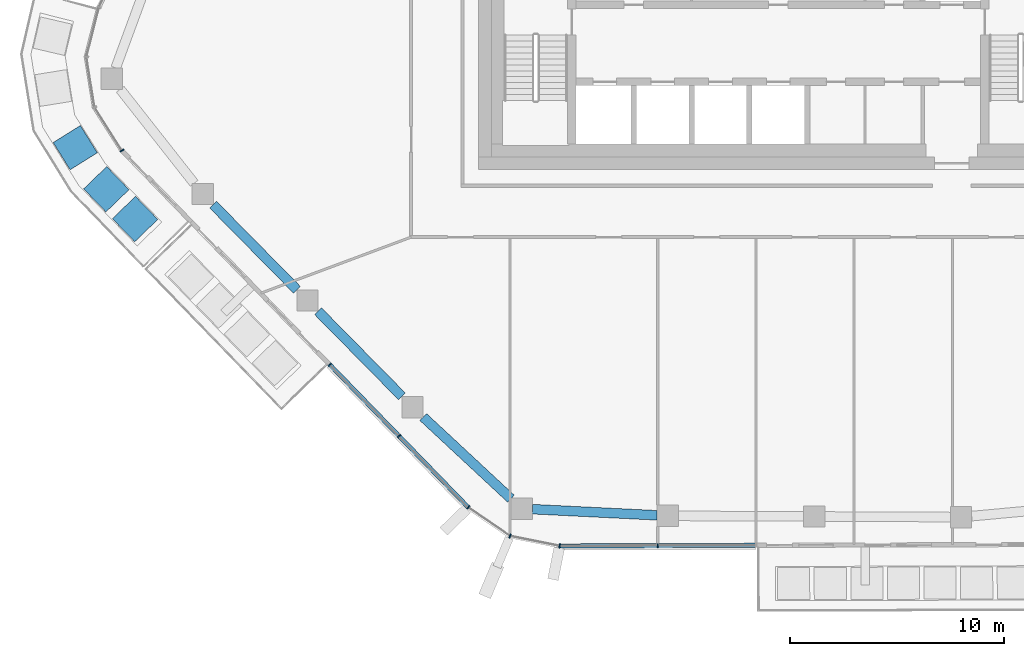
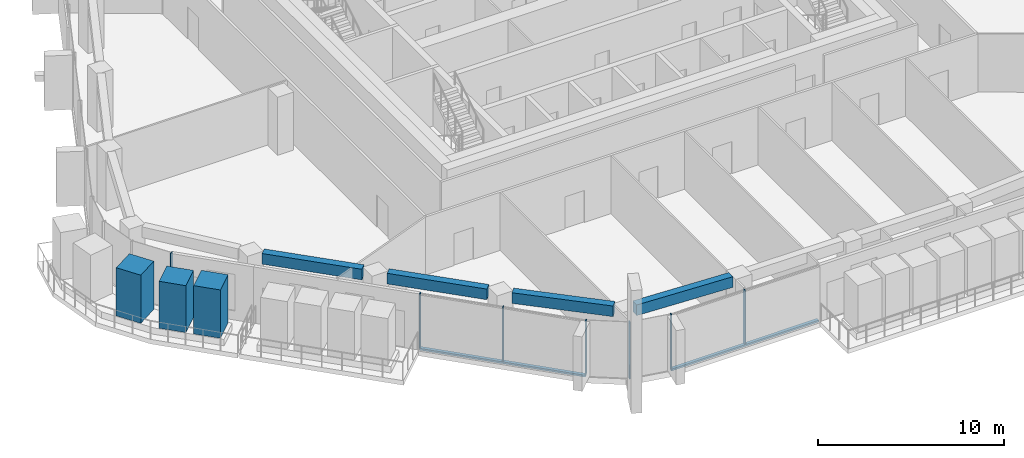
# One storey, part 2 of 24: 12 members, 4 beams, 4 elements without a shape of their own.
"""IFC4 building model written with IfcOpenShell, lengths in metres."""

import ifcopenshell
import ifcopenshell.guid

model = None  # the IFC model being written
_history = None  # IfcOwnerHistory: only IFC2X3 demands one
_inside = {}  # id of a spatial element -> (the spatial element, [elements in it])
_under = {}  # id of a project, library or spatial element -> (it, [spatial elements below it])
_declared = {}  # id of a project -> (the project, [libraries it declares])
_typed = {}  # id of a type object -> (the type object, [elements of that type])
_made_of = {}  # id of a material, layer set ... -> (it, [elements and type objects made of it])


def new_model(schema):
    """Start an empty IFC model of exactly this schema.

    Asked for "IFC4X3", IfcOpenShell would pick the latest addendum, in which some entities
    have other attributes; the version numbers below select the first issue.
    IFC2X3 requires an IfcOwnerHistory on every rooted entity: one is made here for all.
    """
    global model, _history
    if schema == "IFC4X3":
        model = ifcopenshell.file(schema_version=(4, 3, 0, 0))
    else:
        model = ifcopenshell.file(schema=schema)
    _inside.clear()
    _under.clear()
    _declared.clear()
    _typed.clear()
    _made_of.clear()
    _history = None
    if model.schema == "IFC2X3":
        org = make("IfcOrganization", Name="unknown")
        user = make(
            "IfcPersonAndOrganization",
            ThePerson=make("IfcPerson", FamilyName="unknown"),
            TheOrganization=org,
        )
        app = make(
            "IfcApplication",
            ApplicationDeveloper=org,
            Version="unknown",
            ApplicationFullName="unknown",
            ApplicationIdentifier="unknown",
        )
        _history = make(
            "IfcOwnerHistory",
            OwningUser=user,
            OwningApplication=app,
            ChangeAction="ADDED",
            CreationDate=0,
        )
    return model


def make(cls, **values):
    """One entity of the class cls with the attributes given. An attribute that is None is left unset."""
    return model.create_entity(
        cls, **{name: value for name, value in values.items() if value is not None}
    )


def rooted(cls, **values):
    """An entity with a GlobalId (a new one), such as an element, a storey or a relation."""
    return make(cls, GlobalId=ifcopenshell.guid.new(), OwnerHistory=_history, **values)


def si_unit(unit_type, name, prefix=None):
    """IfcSIUnit, for example si_unit("LENGTHUNIT", "METRE", prefix="MILLI")."""
    return make("IfcSIUnit", UnitType=unit_type, Prefix=prefix, Name=name)


def assignment(units):
    """IfcUnitAssignment: the units of a project."""
    return None if units is None else make("IfcUnitAssignment", Units=units)


def point(xyz):
    """IfcCartesianPoint."""
    return None if xyz is None else make("IfcCartesianPoint", Coordinates=xyz)


def direction(xyz):
    """IfcDirection."""
    return None if xyz is None else make("IfcDirection", DirectionRatios=xyz)


def frame(location, z_axis=None, x_axis=None):
    """IfcAxis2Placement3D, a coordinate frame: its origin and axes. An axis left out is left unset."""
    return make(
        "IfcAxis2Placement3D",
        Location=point(location),
        Axis=direction(z_axis),
        RefDirection=direction(x_axis),
    )


def frame_2d(location, x_axis=None):
    """IfcAxis2Placement2D, a coordinate frame in the plane: its origin and x axis."""
    return make(
        "IfcAxis2Placement2D", Location=point(location), RefDirection=direction(x_axis)
    )


def origin():
    """The frame at (0, 0, 0) with its axes left unset."""
    return frame((0.0, 0.0, 0.0))


def origin_2d():
    """The frame at (0, 0) in the plane with its x axis left unset."""
    return frame_2d((0.0, 0.0))


def place(relative_to, where):
    """IfcLocalPlacement: puts the frame where relative to a parent placement (None: the world)."""
    return make(
        "IfcLocalPlacement", PlacementRelTo=relative_to, RelativePlacement=where
    )


def context(
    kind, dimensions, precision=None, world=None, true_north=None, identifier=None
):
    """IfcGeometricRepresentationContext, for example the 3D "Model" context."""
    return make(
        "IfcGeometricRepresentationContext",
        ContextIdentifier=identifier,
        ContextType=kind,
        CoordinateSpaceDimension=dimensions,
        Precision=precision,
        WorldCoordinateSystem=world,
        TrueNorth=true_north,
    )


def subcontext(parent, identifier, kind, view, scale=None):
    """IfcGeometricRepresentationSubContext, for example "Body" below "Model"."""
    return make(
        "IfcGeometricRepresentationSubContext",
        ContextIdentifier=identifier,
        ContextType=kind,
        ParentContext=parent,
        TargetScale=scale,
        TargetView=view,
    )


def project(units=None, contexts=None):
    """IfcProject with its units and contexts."""
    return rooted(
        "IfcProject",
        Name="project",
        RepresentationContexts=contexts,
        UnitsInContext=assignment(units),
    )


def spatial(cls, under=None, at=None, **own):
    """A site, building, storey or space (cls), placed at a placement, below another one or the project."""
    s = rooted(cls, ObjectPlacement=at, **own)
    if under is not None:
        _under.setdefault(under.id(), (under, []))[1].append(s)
    return s


def profile(cls, at=None, kind="AREA", **sizes):
    """A parametric profile (cls). Its sizes go by their IFC names, for example OverallWidth=200.0."""
    return make(cls, ProfileType=kind, Position=at, **sizes)


def rectangle(**sizes):
    """IfcRectangleProfileDef."""
    return profile("IfcRectangleProfileDef", **sizes)


def extrude(swept, where, along, depth):
    """IfcExtrudedAreaSolid: the profile swept, set in the frame where, extruded along a direction by depth."""
    return make(
        "IfcExtrudedAreaSolid",
        SweptArea=swept,
        Position=where,
        ExtrudedDirection=direction(along),
        Depth=depth,
    )


def shape(context_of_items, identifier, shape_type, items):
    """IfcShapeRepresentation: the items that make up one representation, for example the "Body"."""
    return make(
        "IfcShapeRepresentation",
        ContextOfItems=context_of_items,
        RepresentationIdentifier=identifier,
        RepresentationType=shape_type,
        Items=items,
    )


def material(Name=None, Category=None):
    """IfcMaterial."""
    return make("IfcMaterial", Name=Name, Category=Category)


def layer(
    of_material, thickness, ventilated=None, Name=None, Category=None, Priority=None
):
    """IfcMaterialLayer: one layer of a wall or slab, of a material (None: an air gap)."""
    return make(
        "IfcMaterialLayer",
        Material=of_material,
        LayerThickness=thickness,
        IsVentilated=ventilated,
        Name=Name,
        Category=Category,
        Priority=Priority,
    )


def layer_set(layers, Name=None):
    """IfcMaterialLayerSet."""
    return make("IfcMaterialLayerSet", MaterialLayers=layers, LayerSetName=Name)


def material_profile(
    of_material, cross_section, Name=None, Category=None, Priority=None
):
    """IfcMaterialProfile: a cross section and its material."""
    return make(
        "IfcMaterialProfile",
        Name=Name,
        Material=of_material,
        Profile=cross_section,
        Priority=Priority,
        Category=Category,
    )


def profile_set(profiles, Name=None, composite=None):
    """IfcMaterialProfileSet."""
    return make(
        "IfcMaterialProfileSet",
        Name=Name,
        MaterialProfiles=profiles,
        CompositeProfile=composite,
    )


def made_of(thing, what):
    """Note that an element or type object is made of a material, layer set ...; save() writes the relation."""
    if what is not None:
        _made_of.setdefault(what.id(), (what, []))[1].append(thing)
    return thing


def type_object(cls, material=None, **own):
    """A type object (cls), such as IfcWallType, which elements share."""
    return made_of(rooted(cls, **own), material)


def element(
    cls,
    number,
    at=None,
    inside=None,
    cuts=None,
    type_object=None,
    material=None,
    context=None,
    identifier="Body",
    shape_type=None,
    held_by="IfcProductDefinitionShape",
    body=None,
    shapes=None,
    **own,
):
    """One element of the class cls, such as IfcWall. Its Tag is "e" and its number.

    at: its placement. inside: the storey or other place that contains it. cuts: it is an
    opening in that element (IfcRelVoidsElement). A single representation is given by context,
    identifier, shape_type and body (its items); several are given by shapes. held_by: the class
    of the entity that holds the representations. save() writes the other relations.
    """
    e = rooted(cls, Tag="e%d" % number, ObjectPlacement=at, **own)
    if body is not None:
        shapes = [shape(context, identifier, shape_type, body)]
    if shapes is not None:
        e.Representation = make(held_by, Representations=shapes)
    if inside is not None:
        _inside.setdefault(inside.id(), (inside, []))[1].append(e)
    if cuts is not None:
        rooted(
            "IfcRelVoidsElement", RelatingBuildingElement=cuts, RelatedOpeningElement=e
        )
    if type_object is not None:
        _typed.setdefault(type_object.id(), (type_object, []))[1].append(e)
    return made_of(e, material)


def aggregate(whole, parts):
    """IfcRelAggregates: a whole, such as a stair, and the parts it consists of."""
    return rooted("IfcRelAggregates", RelatingObject=whole, RelatedObjects=parts)


def save(model, path):
    """Write the relations noted so far, then the file.

    IfcRelAggregates (storeys below a building ...), IfcRelContainedInSpatialStructure (elements
    in a storey), IfcRelDefinesByType, IfcRelAssociatesMaterial and IfcRelDeclares: one each for
    every whole, place, type object, material and project.
    """
    for whole, parts in _under.values():
        aggregate(whole, parts)
    for where, things in _inside.values():
        rooted(
            "IfcRelContainedInSpatialStructure",
            RelatedElements=things,
            RelatingStructure=where,
        )
    for kind, things in _typed.values():
        rooted("IfcRelDefinesByType", RelatedObjects=things, RelatingType=kind)
    for what, things in _made_of.values():
        rooted("IfcRelAssociatesMaterial", RelatedObjects=things, RelatingMaterial=what)
    for by, libraries in _declared.values():
        rooted("IfcRelDeclares", RelatingContext=by, RelatedDefinitions=libraries)
    model.write(path)


model = new_model("IFC4")

# Units and contexts
model_context = context("Model", 3, precision=1e-05, world=origin(), true_north=direction((0.0, 1.0)))
body_context = subcontext(model_context, "Body", "Model", "MODEL_VIEW")
ifc_project = project(units=[si_unit("LENGTHUNIT", "METRE"), si_unit("AREAUNIT", "SQUARE_METRE"), si_unit("VOLUMEUNIT", "CUBIC_METRE"), si_unit("PLANEANGLEUNIT", "RADIAN"), si_unit("MASSUNIT", "GRAM", prefix="KILO")], contexts=[model_context])

# Site, building, storey
site_placement = place(None, origin())
site = spatial("IfcSite", under=ifc_project, at=site_placement, CompositionType="ELEMENT")
building_placement = place(site_placement, origin())
building = spatial("IfcBuilding", under=site, at=building_placement, Name="Dongbaek Canopy Tower", CompositionType="ELEMENT")
storey_placement = place(building_placement, frame((0.0, 0.0, 344.60009765625)))
storey = spatial("IfcBuildingStorey", under=building, at=storey_placement, Name="L74", CompositionType="ELEMENT", Elevation=344.60009765625)

# Curtain wall, member
ifc_material_1 = material(Name="Aluminium 6063-T6 pale anodised", Category="aluminium")
ifc_layer = layer(ifc_material_1, 0.199951171875)
ifc_layer_set = layer_set([ifc_layer], Name="CW-1 unitised tower curtain wall")
curtain_wall_type = type_object("IfcCurtainWallType", Name="CW-1 unitised tower curtain wall", PredefinedType="NOTDEFINED", material=ifc_layer_set)
curtain_wall_1_placement = place(storey_placement, origin())
curtain_wall_1 = element("IfcCurtainWall", 1, at=curtain_wall_1_placement, inside=storey, type_object=curtain_wall_type, Name="CW-1 curtain wall K3.1", PredefinedType="NOTDEFINED")
ifc_material_2 = material(Name="Aluminium 6063-T6 pale anodised", Category="aluminium")
ifc_material_profile_1 = material_profile(ifc_material_2, rectangle(XDim=0.199951171875, YDim=0.06005859375, at=origin_2d()), Name="CW-1 mullion 60 x 200")
ifc_profile_set_1 = profile_set([ifc_material_profile_1], Name="Aluminium 6063-T6 pale anodised")
member_type_1 = type_object("IfcMemberType", Name="CW-1 mullion 60 x 200", PredefinedType="MULLION", material=ifc_profile_set_1)
member_1_placement = place(storey_placement, frame((-30.651611328125, -10.109130859375, 0.0), z_axis=(0.0, 0.0, 1.0), x_axis=(-0.843728647148, -0.536769941392, 0.0)))
member_1 = element("IfcMember", 2, at=member_1_placement, type_object=member_type_1, Name="CW-1 mullion K3.1.4", PredefinedType="MULLION", context=body_context, shape_type="SweptSolid", body=[
    extrude(rectangle(XDim=0.199951171875, YDim=0.06005859375, at=origin_2d()), origin(), (0.0, 0.0, 1.0), 3.699951171875),
])
aggregate(curtain_wall_1, [member_1])

# Curtain wall, members
curtain_wall_2_placement = place(storey_placement, origin())
curtain_wall_2 = element("IfcCurtainWall", 3, at=curtain_wall_2_placement, inside=storey, type_object=curtain_wall_type, Name="CW-1 curtain wall F3.1", PredefinedType="NOTDEFINED")
member_2_placement = place(storey_placement, frame((-20.947509765625, -20.110107421875, 0.119873046875), z_axis=(0.0, 0.0, 1.0), x_axis=(-0.717680445859, -0.696372585353, 0.0)))
member_2 = element("IfcMember", 4, at=member_2_placement, type_object=member_type_1, Name="CW-1 mullion F3.1.1", PredefinedType="MULLION", context=body_context, shape_type="SweptSolid", body=[
    extrude(rectangle(XDim=0.199951171875, YDim=0.06005859375, at=origin_2d()), origin(), (0.0, 0.0, 1.0), 3.580078125),
])
member_3_placement = place(storey_placement, frame((-17.71044921875, -23.4462890625, 0.119873046875), z_axis=(0.0, 0.0, 1.0), x_axis=(-0.717680445859, -0.696372585353, 0.0)))
member_3 = element("IfcMember", 5, at=member_3_placement, type_object=member_type_1, Name="CW-1 mullion F3.1.2", PredefinedType="MULLION", context=body_context, shape_type="SweptSolid", body=[
    extrude(rectangle(XDim=0.199951171875, YDim=0.06005859375, at=origin_2d()), origin(), (0.0, 0.0, 1.0), 3.580078125),
])
member_4_placement = place(storey_placement, frame((-14.480224609375, -26.775146484375, 0.119873046875), z_axis=(0.0, 0.0, 1.0), x_axis=(-0.717680445859, -0.696372585353, 0.0)))
member_4 = element("IfcMember", 6, at=member_4_placement, type_object=member_type_1, Name="CW-1 mullion F3.1.3", PredefinedType="MULLION", context=body_context, shape_type="SweptSolid", body=[
    extrude(rectangle(XDim=0.199951171875, YDim=0.06005859375, at=origin_2d()), origin(), (0.0, 0.0, 1.0), 3.580078125),
])

curtain_wall_3_placement = place(storey_placement, origin())
curtain_wall_3 = element("IfcCurtainWall", 7, at=curtain_wall_3_placement, inside=storey, type_object=curtain_wall_type, Name="CW-1 curtain wall K4.1", PredefinedType="NOTDEFINED")
member_5_placement = place(storey_placement, frame((-12.52880859375, -28.109130859375, 0.0), z_axis=(0.0, 0.0, 1.0), x_axis=(-0.388220662236, -0.921566447639, 0.0)))
member_5 = element("IfcMember", 8, at=member_5_placement, type_object=member_type_1, Name="CW-1 mullion K4.1.2", PredefinedType="MULLION", context=body_context, shape_type="SweptSolid", body=[
    extrude(rectangle(XDim=0.199951171875, YDim=0.06005859375, at=origin_2d()), origin(), (0.0, 0.0, 1.0), 3.699951171875),
])
member_6_placement = place(storey_placement, frame((-10.2109375, -28.57373046875, 0.0), z_axis=(0.0, 0.0, 1.0), x_axis=(-0.196529582008, -0.980497895661, 0.0)))
member_6 = element("IfcMember", 9, at=member_6_placement, type_object=member_type_1, Name="CW-1 mullion K4.1.3", PredefinedType="MULLION", context=body_context, shape_type="SweptSolid", body=[
    extrude(rectangle(XDim=0.199951171875, YDim=0.06005859375, at=origin_2d()), origin(), (0.0, 0.0, 1.0), 3.699951171875),
])
aggregate(curtain_wall_3, [member_5, member_6])

# Curtain wall, member
curtain_wall_4_placement = place(storey_placement, origin())
curtain_wall_4 = element("IfcCurtainWall", 10, at=curtain_wall_4_placement, inside=storey, type_object=curtain_wall_type, Name="CW-1 curtain wall F4.1", PredefinedType="NOTDEFINED")
member_7_placement = place(storey_placement, frame((-5.6318359375, -28.559814453125, 0.119873046875), z_axis=(0.0, 0.0, 1.0), x_axis=(0.003065600754, -0.999995301035, 0.0)))
member_7 = element("IfcMember", 11, at=member_7_placement, type_object=member_type_1, Name="CW-1 mullion F4.1.2", PredefinedType="MULLION", context=body_context, shape_type="SweptSolid", body=[
    extrude(rectangle(XDim=0.199951171875, YDim=0.06005859375, at=origin_2d()), origin(), (0.0, 0.0, 1.0), 3.580078125),
])

# Member
ifc_material_3 = material(Name="Aluminium 6063-T6 pale anodised", Category="aluminium")
ifc_material_profile_2 = material_profile(ifc_material_3, rectangle(XDim=0.199951171875, YDim=0.1201171875, at=origin_2d()), Name="CW-1 transom 120 x 200")
ifc_profile_set_2 = profile_set([ifc_material_profile_2], Name="Aluminium 6063-T6 pale anodised")
member_type_2 = type_object("IfcMemberType", Name="CW-1 transom 120 x 200", PredefinedType="USERDEFINED", material=ifc_profile_set_2)
member_8_placement = place(storey_placement, frame((-20.947509765625, -20.110107421875, 0.059814453125), z_axis=(0.696379819379, -0.71767342654, 0.0), x_axis=(0.71767342654, 0.696379819379, 0.0)))
member_8 = element("IfcMember", 12, at=member_8_placement, type_object=member_type_2, Name="CW-1 transom F3.1.1", ObjectType="TRANSOM", PredefinedType="USERDEFINED", context=body_context, shape_type="SweptSolid", body=[
    extrude(rectangle(XDim=0.199951171875, YDim=0.1201171875, at=origin_2d()), origin(), (0.0, 0.0, 1.0), 9.287109375),
])

aggregate(curtain_wall_2, [member_2, member_3, member_4, member_8])

member_9_placement = place(storey_placement, frame((-10.2109375, -28.57373046875, 0.059814453125), z_axis=(0.999995311324, 0.003062242659, 0.0), x_axis=(-0.003062242659, 0.999995311324, 0.0)))
member_9 = element("IfcMember", 13, at=member_9_placement, type_object=member_type_2, Name="CW-1 transom F4.1.1", ObjectType="TRANSOM", PredefinedType="USERDEFINED", context=body_context, shape_type="SweptSolid", body=[
    extrude(rectangle(XDim=0.199951171875, YDim=0.1201171875, at=origin_2d()), origin(), (0.0, 0.0, 1.0), 9.16845703125),
])

aggregate(curtain_wall_4, [member_7, member_9])

# Beams
ifc_material_4 = material(Name="Concrete C60", Category="concrete")
ifc_material_profile_3 = material_profile(ifc_material_4, rectangle(XDim=0.449951171875, YDim=0.699951171875, at=origin_2d()), Name="RC EDGE BEAM 450x700 C60")
ifc_profile_set_3 = profile_set([ifc_material_profile_3], Name="Concrete C60")
beam_type = type_object("IfcBeamType", Name="RC EDGE BEAM 450x700 C60", PredefinedType="BEAM", material=ifc_profile_set_3)
beam_1_placement = place(storey_placement, frame((-5.666015625, -27.142333984375, 3.469970703125), z_axis=(-0.998789160621, 0.049195656579, 0.0), x_axis=(-0.049195656579, -0.998789160621, 0.0)))
element("IfcBeam", 14, at=beam_1_placement, inside=storey, type_object=beam_type, Name="EDGEBEAM:L74:03", PredefinedType="BEAM", context=body_context, shape_type="SweptSolid", body=[
    extrude(rectangle(XDim=0.449951171875, YDim=0.699951171875, at=origin_2d()), origin(), (0.0, 0.0, 1.0), 5.826171875),
])
beam_2_placement = place(storey_placement, frame((-12.485107421875, -26.365966796875, 3.469970703125), z_axis=(-0.732266655485, 0.681018021248, 0.0), x_axis=(-0.681018021248, -0.732266655485, 0.0)))
element("IfcBeam", 15, at=beam_2_placement, inside=storey, type_object=beam_type, Name="EDGEBEAM:L74:04", PredefinedType="BEAM", context=body_context, shape_type="SweptSolid", body=[
    extrude(rectangle(XDim=0.449951171875, YDim=0.699951171875, at=origin_2d()), origin(), (0.0, 0.0, 1.0), 5.597412109375),
])
beam_3_placement = place(storey_placement, frame((-17.576416015625, -21.589111328125, 3.469970703125), z_axis=(-0.701706740597, 0.712465894062, 0.0), x_axis=(-0.712465894062, -0.701706740597, 0.0)))
element("IfcBeam", 16, at=beam_3_placement, inside=storey, type_object=beam_type, Name="EDGEBEAM:L74:05", PredefinedType="BEAM", context=body_context, shape_type="SweptSolid", body=[
    extrude(rectangle(XDim=0.449951171875, YDim=0.699951171875, at=origin_2d()), origin(), (0.0, 0.0, 1.0), 5.58203125),
])
beam_4_placement = place(storey_placement, frame((-22.478515625, -16.612060546875, 3.469970703125), z_axis=(-0.701708081315, 0.712464573588, 0.0), x_axis=(-0.712464573588, -0.701708081315, 0.0)))
element("IfcBeam", 17, at=beam_4_placement, inside=storey, type_object=beam_type, Name="EDGEBEAM:L74:06", PredefinedType="BEAM", context=body_context, shape_type="SweptSolid", body=[
    extrude(rectangle(XDim=0.449951171875, YDim=0.699951171875, at=origin_2d()), origin(), (0.0, 0.0, 1.0), 5.58349609375),
])

# Members
ifc_material_5 = material(Name="Concrete C40/50 planter mass with planting", Category="concrete")
ifc_material_profile_4 = material_profile(ifc_material_5, rectangle(XDim=1.5, YDim=1.5, at=origin_2d()), Name="Terrace PLANTER shrub mass 1500 x 1500")
ifc_profile_set_4 = profile_set([ifc_material_profile_4], Name="Concrete C40/50 planter mass with planting")
member_type_3 = type_object("IfcMemberType", Name="Terrace PLANTER shrub mass 1500 x 1500", PredefinedType="USERDEFINED", material=ifc_profile_set_4)
member_10_placement = place(storey_placement, frame((-32.835205078125, -9.970947265625, 0.419921875), z_axis=(0.0, 0.0, 1.0), x_axis=(-0.848474014985, -0.52923704131, 0.0)))
element("IfcMember", 18, at=member_10_placement, inside=storey, type_object=member_type_3, Name="Planter shrubs L74 7.3", ObjectType="PLANTER", PredefinedType="USERDEFINED", context=body_context, shape_type="SweptSolid", body=[
    extrude(rectangle(XDim=1.5, YDim=1.5, at=origin_2d()), origin(), (0.0, 0.0, 1.0), 3.169921875),
])
member_11_placement = place(storey_placement, frame((-31.384521484375, -11.914794921875, 0.419921875), z_axis=(0.0, 0.0, 1.0), x_axis=(-0.719254797981, -0.694746382201, 0.0)))
element("IfcMember", 19, at=member_11_placement, inside=storey, type_object=member_type_3, Name="Planter shrubs L74 7.4", ObjectType="PLANTER", PredefinedType="USERDEFINED", context=body_context, shape_type="SweptSolid", body=[
    extrude(rectangle(XDim=1.5, YDim=1.5, at=origin_2d()), origin(), (0.0, 0.0, 1.0), 3.090087890625),
])
member_12_placement = place(storey_placement, frame((-30.0400390625, -13.306640625, 0.419921875), z_axis=(0.0, 0.0, 1.0), x_axis=(-0.719254797981, -0.694746382201, 0.0)))
element("IfcMember", 20, at=member_12_placement, inside=storey, type_object=member_type_3, Name="Planter shrubs L74 7.5", ObjectType="PLANTER", PredefinedType="USERDEFINED", context=body_context, shape_type="SweptSolid", body=[
    extrude(rectangle(XDim=1.5, YDim=1.5, at=origin_2d()), origin(), (0.0, 0.0, 1.0), 3.179931640625),
])

save(model, "model.ifc")
